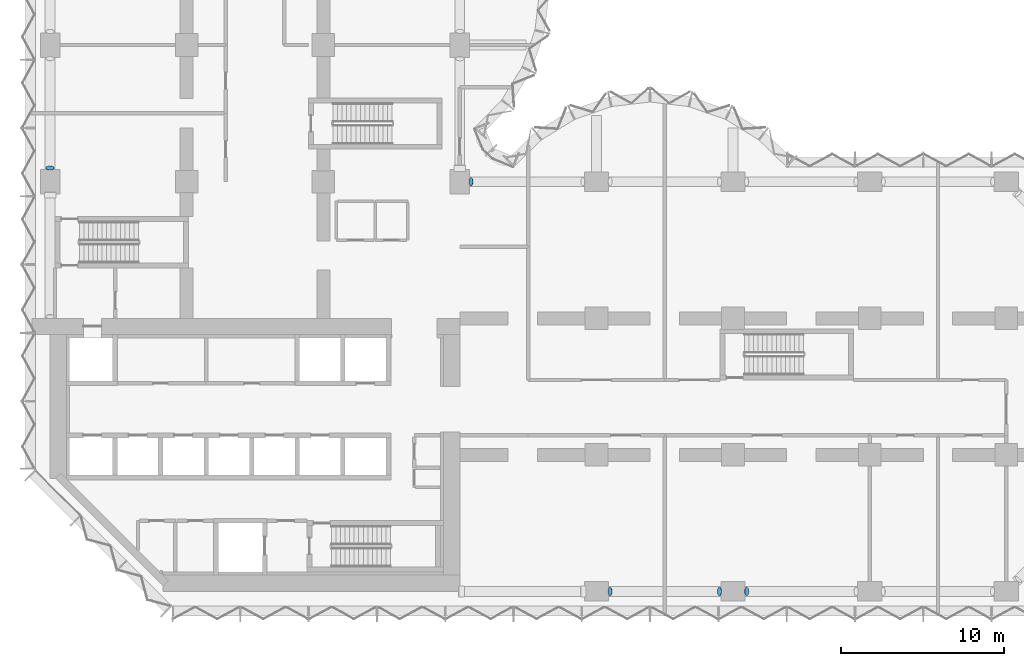
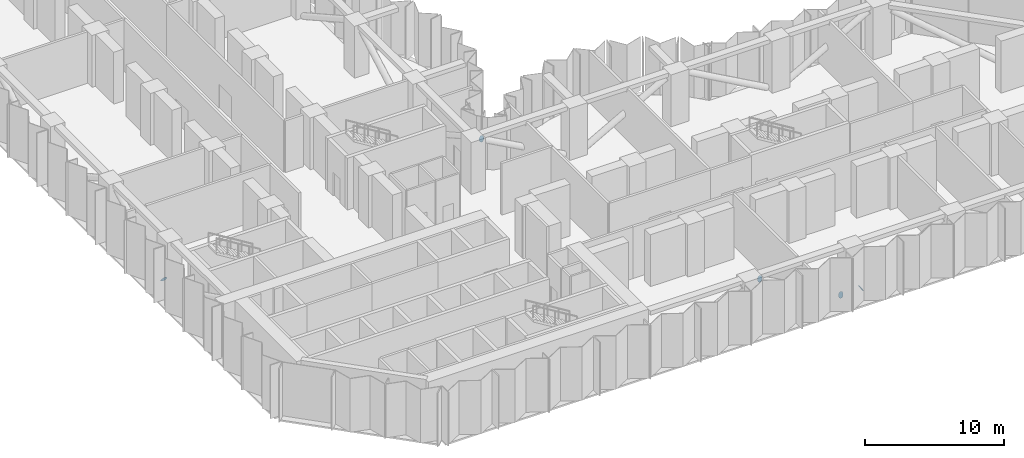
# One storey, part 4 of 18: 5 plates.
"""IFC4 building model written with IfcOpenShell, lengths in metres."""

import ifcopenshell
import ifcopenshell.guid

model = None  # the IFC model being written
_history = None  # IfcOwnerHistory: only IFC2X3 demands one
_inside = {}  # id of a spatial element -> (the spatial element, [elements in it])
_under = {}  # id of a project, library or spatial element -> (it, [spatial elements below it])
_declared = {}  # id of a project -> (the project, [libraries it declares])
_typed = {}  # id of a type object -> (the type object, [elements of that type])
_made_of = {}  # id of a material, layer set ... -> (it, [elements and type objects made of it])


def new_model(schema):
    """Start an empty IFC model of exactly this schema.

    Asked for "IFC4X3", IfcOpenShell would pick the latest addendum, in which some entities
    have other attributes; the version numbers below select the first issue.
    IFC2X3 requires an IfcOwnerHistory on every rooted entity: one is made here for all.
    """
    global model, _history
    if schema == "IFC4X3":
        model = ifcopenshell.file(schema_version=(4, 3, 0, 0))
    else:
        model = ifcopenshell.file(schema=schema)
    _inside.clear()
    _under.clear()
    _declared.clear()
    _typed.clear()
    _made_of.clear()
    _history = None
    if model.schema == "IFC2X3":
        org = make("IfcOrganization", Name="unknown")
        user = make(
            "IfcPersonAndOrganization",
            ThePerson=make("IfcPerson", FamilyName="unknown"),
            TheOrganization=org,
        )
        app = make(
            "IfcApplication",
            ApplicationDeveloper=org,
            Version="unknown",
            ApplicationFullName="unknown",
            ApplicationIdentifier="unknown",
        )
        _history = make(
            "IfcOwnerHistory",
            OwningUser=user,
            OwningApplication=app,
            ChangeAction="ADDED",
            CreationDate=0,
        )
    return model


def make(cls, **values):
    """One entity of the class cls with the attributes given. An attribute that is None is left unset."""
    return model.create_entity(
        cls, **{name: value for name, value in values.items() if value is not None}
    )


def rooted(cls, **values):
    """An entity with a GlobalId (a new one), such as an element, a storey or a relation."""
    return make(cls, GlobalId=ifcopenshell.guid.new(), OwnerHistory=_history, **values)


def si_unit(unit_type, name, prefix=None):
    """IfcSIUnit, for example si_unit("LENGTHUNIT", "METRE", prefix="MILLI")."""
    return make("IfcSIUnit", UnitType=unit_type, Prefix=prefix, Name=name)


def assignment(units):
    """IfcUnitAssignment: the units of a project."""
    return None if units is None else make("IfcUnitAssignment", Units=units)


def point(xyz):
    """IfcCartesianPoint."""
    return None if xyz is None else make("IfcCartesianPoint", Coordinates=xyz)


def direction(xyz):
    """IfcDirection."""
    return None if xyz is None else make("IfcDirection", DirectionRatios=xyz)


def frame(location, z_axis=None, x_axis=None):
    """IfcAxis2Placement3D, a coordinate frame: its origin and axes. An axis left out is left unset."""
    return make(
        "IfcAxis2Placement3D",
        Location=point(location),
        Axis=direction(z_axis),
        RefDirection=direction(x_axis),
    )


def frame_2d(location, x_axis=None):
    """IfcAxis2Placement2D, a coordinate frame in the plane: its origin and x axis."""
    return make(
        "IfcAxis2Placement2D", Location=point(location), RefDirection=direction(x_axis)
    )


def origin():
    """The frame at (0, 0, 0) with its axes left unset."""
    return frame((0.0, 0.0, 0.0))


def origin_2d():
    """The frame at (0, 0) in the plane with its x axis left unset."""
    return frame_2d((0.0, 0.0))


def place(relative_to, where):
    """IfcLocalPlacement: puts the frame where relative to a parent placement (None: the world)."""
    return make(
        "IfcLocalPlacement", PlacementRelTo=relative_to, RelativePlacement=where
    )


def context(
    kind, dimensions, precision=None, world=None, true_north=None, identifier=None
):
    """IfcGeometricRepresentationContext, for example the 3D "Model" context."""
    return make(
        "IfcGeometricRepresentationContext",
        ContextIdentifier=identifier,
        ContextType=kind,
        CoordinateSpaceDimension=dimensions,
        Precision=precision,
        WorldCoordinateSystem=world,
        TrueNorth=true_north,
    )


def subcontext(parent, identifier, kind, view, scale=None):
    """IfcGeometricRepresentationSubContext, for example "Body" below "Model"."""
    return make(
        "IfcGeometricRepresentationSubContext",
        ContextIdentifier=identifier,
        ContextType=kind,
        ParentContext=parent,
        TargetScale=scale,
        TargetView=view,
    )


def project(units=None, contexts=None):
    """IfcProject with its units and contexts."""
    return rooted(
        "IfcProject",
        Name="project",
        RepresentationContexts=contexts,
        UnitsInContext=assignment(units),
    )


def spatial(cls, under=None, at=None, **own):
    """A site, building, storey or space (cls), placed at a placement, below another one or the project."""
    s = rooted(cls, ObjectPlacement=at, **own)
    if under is not None:
        _under.setdefault(under.id(), (under, []))[1].append(s)
    return s


def profile(cls, at=None, kind="AREA", **sizes):
    """A parametric profile (cls). Its sizes go by their IFC names, for example OverallWidth=200.0."""
    return make(cls, ProfileType=kind, Position=at, **sizes)


def circle(**sizes):
    """IfcCircleProfileDef."""
    return profile("IfcCircleProfileDef", **sizes)


def extrude(swept, where, along, depth):
    """IfcExtrudedAreaSolid: the profile swept, set in the frame where, extruded along a direction by depth."""
    return make(
        "IfcExtrudedAreaSolid",
        SweptArea=swept,
        Position=where,
        ExtrudedDirection=direction(along),
        Depth=depth,
    )


def shape(context_of_items, identifier, shape_type, items):
    """IfcShapeRepresentation: the items that make up one representation, for example the "Body"."""
    return make(
        "IfcShapeRepresentation",
        ContextOfItems=context_of_items,
        RepresentationIdentifier=identifier,
        RepresentationType=shape_type,
        Items=items,
    )


def material(Name=None, Category=None):
    """IfcMaterial."""
    return make("IfcMaterial", Name=Name, Category=Category)


def material_profile(
    of_material, cross_section, Name=None, Category=None, Priority=None
):
    """IfcMaterialProfile: a cross section and its material."""
    return make(
        "IfcMaterialProfile",
        Name=Name,
        Material=of_material,
        Profile=cross_section,
        Priority=Priority,
        Category=Category,
    )


def profile_set(profiles, Name=None, composite=None):
    """IfcMaterialProfileSet."""
    return make(
        "IfcMaterialProfileSet",
        Name=Name,
        MaterialProfiles=profiles,
        CompositeProfile=composite,
    )


def made_of(thing, what):
    """Note that an element or type object is made of a material, layer set ...; save() writes the relation."""
    if what is not None:
        _made_of.setdefault(what.id(), (what, []))[1].append(thing)
    return thing


def type_object(cls, material=None, **own):
    """A type object (cls), such as IfcWallType, which elements share."""
    return made_of(rooted(cls, **own), material)


def element(
    cls,
    number,
    at=None,
    inside=None,
    cuts=None,
    type_object=None,
    material=None,
    context=None,
    identifier="Body",
    shape_type=None,
    held_by="IfcProductDefinitionShape",
    body=None,
    shapes=None,
    **own,
):
    """One element of the class cls, such as IfcWall. Its Tag is "e" and its number.

    at: its placement. inside: the storey or other place that contains it. cuts: it is an
    opening in that element (IfcRelVoidsElement). A single representation is given by context,
    identifier, shape_type and body (its items); several are given by shapes. held_by: the class
    of the entity that holds the representations. save() writes the other relations.
    """
    e = rooted(cls, Tag="e%d" % number, ObjectPlacement=at, **own)
    if body is not None:
        shapes = [shape(context, identifier, shape_type, body)]
    if shapes is not None:
        e.Representation = make(held_by, Representations=shapes)
    if inside is not None:
        _inside.setdefault(inside.id(), (inside, []))[1].append(e)
    if cuts is not None:
        rooted(
            "IfcRelVoidsElement", RelatingBuildingElement=cuts, RelatedOpeningElement=e
        )
    if type_object is not None:
        _typed.setdefault(type_object.id(), (type_object, []))[1].append(e)
    return made_of(e, material)


def aggregate(whole, parts):
    """IfcRelAggregates: a whole, such as a stair, and the parts it consists of."""
    return rooted("IfcRelAggregates", RelatingObject=whole, RelatedObjects=parts)


def save(model, path):
    """Write the relations noted so far, then the file.

    IfcRelAggregates (storeys below a building ...), IfcRelContainedInSpatialStructure (elements
    in a storey), IfcRelDefinesByType, IfcRelAssociatesMaterial and IfcRelDeclares: one each for
    every whole, place, type object, material and project.
    """
    for whole, parts in _under.values():
        aggregate(whole, parts)
    for where, things in _inside.values():
        rooted(
            "IfcRelContainedInSpatialStructure",
            RelatedElements=things,
            RelatingStructure=where,
        )
    for kind, things in _typed.values():
        rooted("IfcRelDefinesByType", RelatedObjects=things, RelatingType=kind)
    for what, things in _made_of.values():
        rooted("IfcRelAssociatesMaterial", RelatedObjects=things, RelatingMaterial=what)
    for by, libraries in _declared.values():
        rooted("IfcRelDeclares", RelatingContext=by, RelatedDefinitions=libraries)
    model.write(path)


model = new_model("IFC4")

# Units and contexts
model_context = context("Model", 3, precision=1e-05, world=origin(), true_north=direction((0.0, 1.0)))
body_context = subcontext(model_context, "Body", "Model", "MODEL_VIEW")
ifc_project = project(units=[si_unit("LENGTHUNIT", "METRE"), si_unit("AREAUNIT", "SQUARE_METRE"), si_unit("VOLUMEUNIT", "CUBIC_METRE"), si_unit("PLANEANGLEUNIT", "RADIAN"), si_unit("MASSUNIT", "GRAM", prefix="KILO")], contexts=[model_context])

# Site, building, storey
site_placement = place(None, origin())
site = spatial("IfcSite", under=ifc_project, at=site_placement, CompositionType="ELEMENT")
building_placement = place(site_placement, origin())
building = spatial("IfcBuilding", under=site, at=building_placement, Name="Brevane Broadcast Tower", CompositionType="ELEMENT")
storey_placement = place(building_placement, frame((0.0, 0.0, 86.89990234375)))
storey = spatial("IfcBuildingStorey", under=building, at=storey_placement, Name="L20", CompositionType="ELEMENT", Elevation=86.89990234375)

# Plates
ifc_material = material(Name="Steel S355", Category="steel")
ifc_material_profile = material_profile(ifc_material, circle(Radius=0.25390625, at=origin_2d()), Name="PL 508 DIA x 15")
ifc_profile_set = profile_set([ifc_material_profile], Name="Steel S355")
plate_type = type_object("IfcPlateType", Name="STEEL END CAP PLATE 508 DIA x 15", PredefinedType="SHEET", material=ifc_profile_set)
plate_1_placement = place(storey_placement, frame((41.1689453125, 0.0, 0.21435546875), z_axis=(-0.870256855071, 0.0, 0.492598219852), x_axis=(0.0, -1.0, 0.0)))
element("IfcPlate", 1, at=plate_1_placement, inside=storey, type_object=plate_type, Name="End cap plate EC1-1", PredefinedType="SHEET", context=body_context, shape_type="SweptSolid", body=[
    extrude(circle(Radius=0.25390625, at=origin_2d()), origin(), (0.0, 0.0, 1.0), 0.014892578125),
])
plate_2_placement = place(storey_placement, frame((34.444091796875, 0.0, 3.978515625), z_axis=(-0.874157276122, 0.0, 0.485642931179), x_axis=(0.0, -1.0, 0.0)))
element("IfcPlate", 2, at=plate_2_placement, inside=storey, type_object=plate_type, Name="End cap plate EC1-2", PredefinedType="SHEET", context=body_context, shape_type="SweptSolid", body=[
    extrude(circle(Radius=0.25390625, at=origin_2d()), origin(), (0.0, 0.0, 1.0), 0.01513671875),
])
for number, where, z_axis, x_axis, name in (
    (3, (42.8310546875, 0.0, 0.21435546875), (0.870256855071, 0.0, 0.492598219852), (0.0, 1.0, 0.0), "End cap plate EC1-3"),
    (4, (25.891845703125, 25.199951171875, 3.977294921875), (-0.880994429299, 0.0, 0.473126637957), (0.0, -1.0, 0.0), "End cap plate EC1-20"),
    (5, (0.0, 26.031005859375, 0.21435546875), (0.0, 0.870256855071, 0.492598219852), (-1.0, 0.0, 0.0), "End cap plate EC1-40"),
):
    element("IfcPlate", number, at=place(storey_placement, frame(where, z_axis=z_axis, x_axis=x_axis)), inside=storey, type_object=plate_type, Name=name, PredefinedType="SHEET", context=body_context, shape_type="SweptSolid", body=[
        extrude(circle(Radius=0.25390625, at=origin_2d()), origin(), (0.0, 0.0, 1.0), 0.014892578125),
    ])

save(model, "model.ifc")
